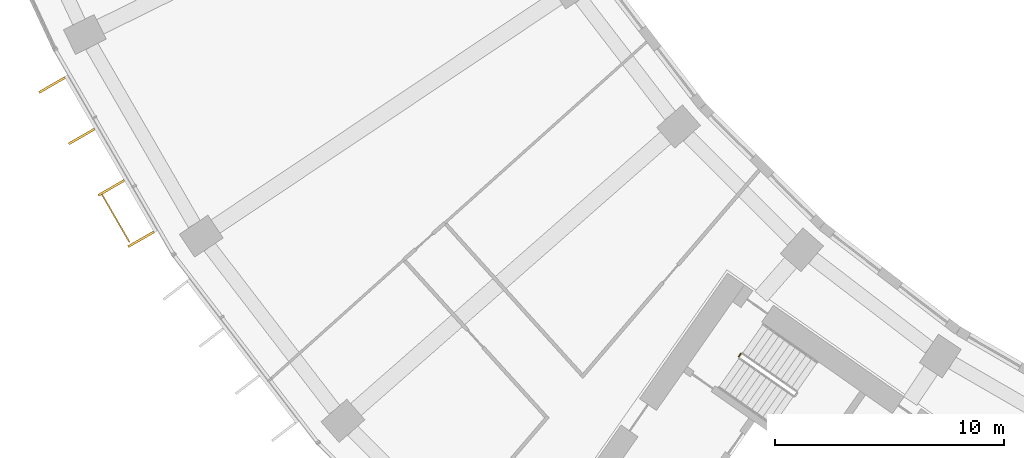
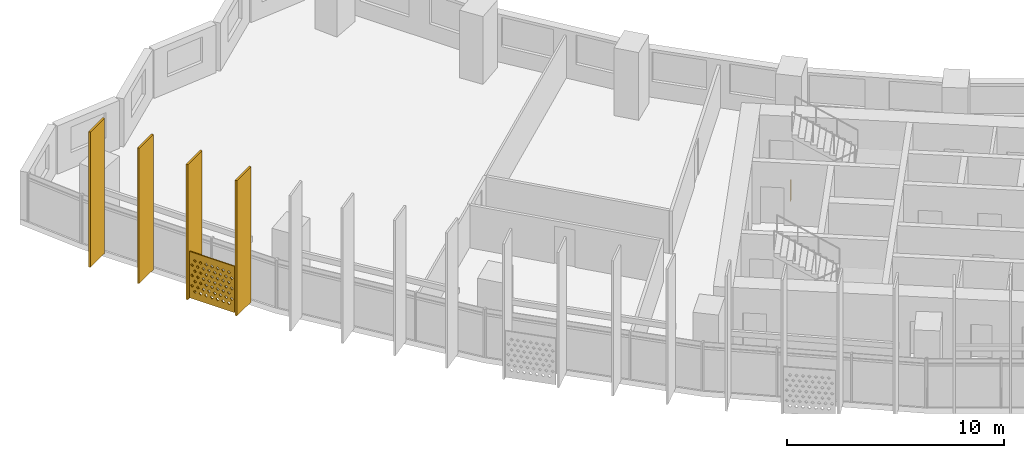
# One storey, part 25 of 29: 5 shading devices, 1 railing.
"""IFC4 building model written with IfcOpenShell, lengths in metres."""

from ifc_helpers import new_model, si_unit, direction, frame, origin, origin_2d, place, context, subcontext, project, spatial, polyline, rectangle, circle, outline, extrude, material, material_profile, profile_set, type_object, element, save


model = new_model("IFC4")

# Units and contexts
model_context = context("Model", 3, precision=1e-05, world=origin(), true_north=direction((0.0, 1.0)))
body_context = subcontext(model_context, "Body", "Model", "MODEL_VIEW")
ifc_project = project(units=[si_unit("LENGTHUNIT", "METRE"), si_unit("AREAUNIT", "SQUARE_METRE"), si_unit("VOLUMEUNIT", "CUBIC_METRE"), si_unit("PLANEANGLEUNIT", "RADIAN"), si_unit("MASSUNIT", "GRAM", prefix="KILO")], contexts=[model_context])

# Site, building, storey
site_placement = place(None, origin())
site = spatial("IfcSite", under=ifc_project, at=site_placement, CompositionType="ELEMENT")
building_placement = place(site_placement, origin())
building = spatial("IfcBuilding", under=site, at=building_placement, Name="Qamariyya Broadcast Tower", CompositionType="ELEMENT")
storey_placement = place(building_placement, frame((0.0, 0.0, 132.89990234375)))
storey = spatial("IfcBuildingStorey", under=building, at=storey_placement, Name="L30", CompositionType="ELEMENT", Elevation=132.89990234375)

# Shading device
ifc_material_1 = material(Name="Perforated glazed terracotta", Category="masonry")
ifc_material_profile_1 = material_profile(ifc_material_1, outline(polyline([(-1.199951171875, -1.300048828125), (1.199951171875, -1.300048828125), (1.199951171875, 1.300048828125), (-1.199951171875, 1.300048828125), (-1.199951171875, -1.300048828125)]), holes=[polyline([(-0.81494140625, -0.86669921875), (-0.89990234375, -0.78173828125), (-0.985107421875, -0.86669921875), (-0.89990234375, -0.95166015625), (-0.81494140625, -0.86669921875)]), polyline([(-0.514892578125, -0.86669921875), (-0.60009765625, -0.78173828125), (-0.68505859375, -0.86669921875), (-0.60009765625, -0.95166015625), (-0.514892578125, -0.86669921875)]), polyline([(-0.215087890625, -0.86669921875), (-0.300048828125, -0.78173828125), (-0.385009765625, -0.86669921875), (-0.300048828125, -0.95166015625), (-0.215087890625, -0.86669921875)]), polyline([(0.0849609375, -0.86669921875), (0.0, -0.78173828125), (-0.0849609375, -0.86669921875), (0.0, -0.95166015625), (0.0849609375, -0.86669921875)]), polyline([(0.385009765625, -0.86669921875), (0.300048828125, -0.78173828125), (0.215087890625, -0.86669921875), (0.300048828125, -0.95166015625), (0.385009765625, -0.86669921875)]), polyline([(0.68505859375, -0.86669921875), (0.60009765625, -0.78173828125), (0.514892578125, -0.86669921875), (0.60009765625, -0.95166015625), (0.68505859375, -0.86669921875)]), polyline([(0.985107421875, -0.86669921875), (0.89990234375, -0.78173828125), (0.81494140625, -0.86669921875), (0.89990234375, -0.95166015625), (0.985107421875, -0.86669921875)]), polyline([(-0.965087890625, -0.577880859375), (-1.050048828125, -0.49267578125), (-1.135009765625, -0.577880859375), (-1.050048828125, -0.662841796875), (-0.965087890625, -0.577880859375)]), polyline([(-0.6650390625, -0.577880859375), (-0.75, -0.49267578125), (-0.8349609375, -0.577880859375), (-0.75, -0.662841796875), (-0.6650390625, -0.577880859375)]), polyline([(-0.364990234375, -0.577880859375), (-0.449951171875, -0.49267578125), (-0.534912109375, -0.577880859375), (-0.449951171875, -0.662841796875), (-0.364990234375, -0.577880859375)]), polyline([(-0.06494140625, -0.577880859375), (-0.14990234375, -0.49267578125), (-0.235107421875, -0.577880859375), (-0.14990234375, -0.662841796875), (-0.06494140625, -0.577880859375)]), polyline([(0.235107421875, -0.577880859375), (0.14990234375, -0.49267578125), (0.06494140625, -0.577880859375), (0.14990234375, -0.662841796875), (0.235107421875, -0.577880859375)]), polyline([(0.534912109375, -0.577880859375), (0.449951171875, -0.49267578125), (0.364990234375, -0.577880859375), (0.449951171875, -0.662841796875), (0.534912109375, -0.577880859375)]), polyline([(0.8349609375, -0.577880859375), (0.75, -0.49267578125), (0.6650390625, -0.577880859375), (0.75, -0.662841796875), (0.8349609375, -0.577880859375)]), polyline([(1.135009765625, -0.577880859375), (1.050048828125, -0.49267578125), (0.965087890625, -0.577880859375), (1.050048828125, -0.662841796875), (1.135009765625, -0.577880859375)]), polyline([(-0.81494140625, -0.288818359375), (-0.89990234375, -0.203857421875), (-0.985107421875, -0.288818359375), (-0.89990234375, -0.373779296875), (-0.81494140625, -0.288818359375)]), polyline([(-0.514892578125, -0.288818359375), (-0.60009765625, -0.203857421875), (-0.68505859375, -0.288818359375), (-0.60009765625, -0.373779296875), (-0.514892578125, -0.288818359375)]), polyline([(-0.215087890625, -0.288818359375), (-0.300048828125, -0.203857421875), (-0.385009765625, -0.288818359375), (-0.300048828125, -0.373779296875), (-0.215087890625, -0.288818359375)]), polyline([(0.0849609375, -0.288818359375), (0.0, -0.203857421875), (-0.0849609375, -0.288818359375), (0.0, -0.373779296875), (0.0849609375, -0.288818359375)]), polyline([(0.385009765625, -0.288818359375), (0.300048828125, -0.203857421875), (0.215087890625, -0.288818359375), (0.300048828125, -0.373779296875), (0.385009765625, -0.288818359375)]), polyline([(0.68505859375, -0.288818359375), (0.60009765625, -0.203857421875), (0.514892578125, -0.288818359375), (0.60009765625, -0.373779296875), (0.68505859375, -0.288818359375)]), polyline([(0.985107421875, -0.288818359375), (0.89990234375, -0.203857421875), (0.81494140625, -0.288818359375), (0.89990234375, -0.373779296875), (0.985107421875, -0.288818359375)]), polyline([(-0.965087890625, 0.0), (-1.050048828125, 0.0849609375), (-1.135009765625, 0.0), (-1.050048828125, -0.0849609375), (-0.965087890625, 0.0)]), polyline([(-0.6650390625, 0.0), (-0.75, 0.0849609375), (-0.8349609375, 0.0), (-0.75, -0.0849609375), (-0.6650390625, 0.0)]), polyline([(-0.364990234375, 0.0), (-0.449951171875, 0.0849609375), (-0.534912109375, 0.0), (-0.449951171875, -0.0849609375), (-0.364990234375, 0.0)]), polyline([(-0.06494140625, 0.0), (-0.14990234375, 0.0849609375), (-0.235107421875, 0.0), (-0.14990234375, -0.0849609375), (-0.06494140625, 0.0)]), polyline([(0.235107421875, 0.0), (0.14990234375, 0.0849609375), (0.06494140625, 0.0), (0.14990234375, -0.0849609375), (0.235107421875, 0.0)]), polyline([(0.534912109375, 0.0), (0.449951171875, 0.0849609375), (0.364990234375, 0.0), (0.449951171875, -0.0849609375), (0.534912109375, 0.0)]), polyline([(0.8349609375, 0.0), (0.75, 0.0849609375), (0.6650390625, 0.0), (0.75, -0.0849609375), (0.8349609375, 0.0)]), polyline([(1.135009765625, 0.0), (1.050048828125, 0.0849609375), (0.965087890625, 0.0), (1.050048828125, -0.0849609375), (1.135009765625, 0.0)]), polyline([(-0.81494140625, 0.288818359375), (-0.89990234375, 0.373779296875), (-0.985107421875, 0.288818359375), (-0.89990234375, 0.203857421875), (-0.81494140625, 0.288818359375)]), polyline([(-0.514892578125, 0.288818359375), (-0.60009765625, 0.373779296875), (-0.68505859375, 0.288818359375), (-0.60009765625, 0.203857421875), (-0.514892578125, 0.288818359375)]), polyline([(-0.215087890625, 0.288818359375), (-0.300048828125, 0.373779296875), (-0.385009765625, 0.288818359375), (-0.300048828125, 0.203857421875), (-0.215087890625, 0.288818359375)]), polyline([(0.0849609375, 0.288818359375), (0.0, 0.373779296875), (-0.0849609375, 0.288818359375), (0.0, 0.203857421875), (0.0849609375, 0.288818359375)]), polyline([(0.385009765625, 0.288818359375), (0.300048828125, 0.373779296875), (0.215087890625, 0.288818359375), (0.300048828125, 0.203857421875), (0.385009765625, 0.288818359375)]), polyline([(0.68505859375, 0.288818359375), (0.60009765625, 0.373779296875), (0.514892578125, 0.288818359375), (0.60009765625, 0.203857421875), (0.68505859375, 0.288818359375)]), polyline([(0.985107421875, 0.288818359375), (0.89990234375, 0.373779296875), (0.81494140625, 0.288818359375), (0.89990234375, 0.203857421875), (0.985107421875, 0.288818359375)]), polyline([(-0.965087890625, 0.577880859375), (-1.050048828125, 0.662841796875), (-1.135009765625, 0.577880859375), (-1.050048828125, 0.49267578125), (-0.965087890625, 0.577880859375)]), polyline([(-0.6650390625, 0.577880859375), (-0.75, 0.662841796875), (-0.8349609375, 0.577880859375), (-0.75, 0.49267578125), (-0.6650390625, 0.577880859375)]), polyline([(-0.364990234375, 0.577880859375), (-0.449951171875, 0.662841796875), (-0.534912109375, 0.577880859375), (-0.449951171875, 0.49267578125), (-0.364990234375, 0.577880859375)]), polyline([(-0.06494140625, 0.577880859375), (-0.14990234375, 0.662841796875), (-0.235107421875, 0.577880859375), (-0.14990234375, 0.49267578125), (-0.06494140625, 0.577880859375)]), polyline([(0.235107421875, 0.577880859375), (0.14990234375, 0.662841796875), (0.06494140625, 0.577880859375), (0.14990234375, 0.49267578125), (0.235107421875, 0.577880859375)]), polyline([(0.534912109375, 0.577880859375), (0.449951171875, 0.662841796875), (0.364990234375, 0.577880859375), (0.449951171875, 0.49267578125), (0.534912109375, 0.577880859375)]), polyline([(0.8349609375, 0.577880859375), (0.75, 0.662841796875), (0.6650390625, 0.577880859375), (0.75, 0.49267578125), (0.8349609375, 0.577880859375)]), polyline([(1.135009765625, 0.577880859375), (1.050048828125, 0.662841796875), (0.965087890625, 0.577880859375), (1.050048828125, 0.49267578125), (1.135009765625, 0.577880859375)]), polyline([(-0.81494140625, 0.86669921875), (-0.89990234375, 0.95166015625), (-0.985107421875, 0.86669921875), (-0.89990234375, 0.78173828125), (-0.81494140625, 0.86669921875)]), polyline([(-0.514892578125, 0.86669921875), (-0.60009765625, 0.95166015625), (-0.68505859375, 0.86669921875), (-0.60009765625, 0.78173828125), (-0.514892578125, 0.86669921875)]), polyline([(-0.215087890625, 0.86669921875), (-0.300048828125, 0.95166015625), (-0.385009765625, 0.86669921875), (-0.300048828125, 0.78173828125), (-0.215087890625, 0.86669921875)]), polyline([(0.0849609375, 0.86669921875), (0.0, 0.95166015625), (-0.0849609375, 0.86669921875), (0.0, 0.78173828125), (0.0849609375, 0.86669921875)]), polyline([(0.385009765625, 0.86669921875), (0.300048828125, 0.95166015625), (0.215087890625, 0.86669921875), (0.300048828125, 0.78173828125), (0.385009765625, 0.86669921875)]), polyline([(0.68505859375, 0.86669921875), (0.60009765625, 0.95166015625), (0.514892578125, 0.86669921875), (0.60009765625, 0.78173828125), (0.68505859375, 0.86669921875)]), polyline([(0.985107421875, 0.86669921875), (0.89990234375, 0.95166015625), (0.81494140625, 0.86669921875), (0.89990234375, 0.78173828125), (0.985107421875, 0.86669921875)])]))
ifc_profile_set_1 = profile_set([ifc_material_profile_1], Name="Perforated glazed terracotta")
shading_device_type_1 = type_object("IfcShadingDeviceType", Name="Perforated terracotta screen 2400 x 2600", PredefinedType="USERDEFINED", material=ifc_profile_set_1)
shading_device_placement = place(storey_placement, frame((-68.355224609375, -42.405517578125, 1.35009765625), z_axis=(-0.865982457891, -0.500074377092, 0.0), x_axis=(0.500074377092, -0.865982457891, 0.0)))
element("IfcShadingDevice", 1, at=shading_device_placement, inside=storey, type_object=shading_device_type_1, Name="e-scr-L30-01-2", ObjectType="SCREEN", PredefinedType="USERDEFINED", context=body_context, shape_type="SweptSolid", body=[
    extrude(outline(polyline([(-1.199951171875, -1.300048828125), (1.199951171875, -1.300048828125), (1.199951171875, 1.300048828125), (-1.199951171875, 1.300048828125), (-1.199951171875, -1.300048828125)]), holes=[polyline([(-0.81494140625, -0.86669921875), (-0.89990234375, -0.78173828125), (-0.985107421875, -0.86669921875), (-0.89990234375, -0.95166015625), (-0.81494140625, -0.86669921875)]), polyline([(-0.514892578125, -0.86669921875), (-0.60009765625, -0.78173828125), (-0.68505859375, -0.86669921875), (-0.60009765625, -0.95166015625), (-0.514892578125, -0.86669921875)]), polyline([(-0.215087890625, -0.86669921875), (-0.300048828125, -0.78173828125), (-0.385009765625, -0.86669921875), (-0.300048828125, -0.95166015625), (-0.215087890625, -0.86669921875)]), polyline([(0.0849609375, -0.86669921875), (0.0, -0.78173828125), (-0.0849609375, -0.86669921875), (0.0, -0.95166015625), (0.0849609375, -0.86669921875)]), polyline([(0.385009765625, -0.86669921875), (0.300048828125, -0.78173828125), (0.215087890625, -0.86669921875), (0.300048828125, -0.95166015625), (0.385009765625, -0.86669921875)]), polyline([(0.68505859375, -0.86669921875), (0.60009765625, -0.78173828125), (0.514892578125, -0.86669921875), (0.60009765625, -0.95166015625), (0.68505859375, -0.86669921875)]), polyline([(0.985107421875, -0.86669921875), (0.89990234375, -0.78173828125), (0.81494140625, -0.86669921875), (0.89990234375, -0.95166015625), (0.985107421875, -0.86669921875)]), polyline([(-0.965087890625, -0.577880859375), (-1.050048828125, -0.49267578125), (-1.135009765625, -0.577880859375), (-1.050048828125, -0.662841796875), (-0.965087890625, -0.577880859375)]), polyline([(-0.6650390625, -0.577880859375), (-0.75, -0.49267578125), (-0.8349609375, -0.577880859375), (-0.75, -0.662841796875), (-0.6650390625, -0.577880859375)]), polyline([(-0.364990234375, -0.577880859375), (-0.449951171875, -0.49267578125), (-0.534912109375, -0.577880859375), (-0.449951171875, -0.662841796875), (-0.364990234375, -0.577880859375)]), polyline([(-0.06494140625, -0.577880859375), (-0.14990234375, -0.49267578125), (-0.235107421875, -0.577880859375), (-0.14990234375, -0.662841796875), (-0.06494140625, -0.577880859375)]), polyline([(0.235107421875, -0.577880859375), (0.14990234375, -0.49267578125), (0.06494140625, -0.577880859375), (0.14990234375, -0.662841796875), (0.235107421875, -0.577880859375)]), polyline([(0.534912109375, -0.577880859375), (0.449951171875, -0.49267578125), (0.364990234375, -0.577880859375), (0.449951171875, -0.662841796875), (0.534912109375, -0.577880859375)]), polyline([(0.8349609375, -0.577880859375), (0.75, -0.49267578125), (0.6650390625, -0.577880859375), (0.75, -0.662841796875), (0.8349609375, -0.577880859375)]), polyline([(1.135009765625, -0.577880859375), (1.050048828125, -0.49267578125), (0.965087890625, -0.577880859375), (1.050048828125, -0.662841796875), (1.135009765625, -0.577880859375)]), polyline([(-0.81494140625, -0.288818359375), (-0.89990234375, -0.203857421875), (-0.985107421875, -0.288818359375), (-0.89990234375, -0.373779296875), (-0.81494140625, -0.288818359375)]), polyline([(-0.514892578125, -0.288818359375), (-0.60009765625, -0.203857421875), (-0.68505859375, -0.288818359375), (-0.60009765625, -0.373779296875), (-0.514892578125, -0.288818359375)]), polyline([(-0.215087890625, -0.288818359375), (-0.300048828125, -0.203857421875), (-0.385009765625, -0.288818359375), (-0.300048828125, -0.373779296875), (-0.215087890625, -0.288818359375)]), polyline([(0.0849609375, -0.288818359375), (0.0, -0.203857421875), (-0.0849609375, -0.288818359375), (0.0, -0.373779296875), (0.0849609375, -0.288818359375)]), polyline([(0.385009765625, -0.288818359375), (0.300048828125, -0.203857421875), (0.215087890625, -0.288818359375), (0.300048828125, -0.373779296875), (0.385009765625, -0.288818359375)]), polyline([(0.68505859375, -0.288818359375), (0.60009765625, -0.203857421875), (0.514892578125, -0.288818359375), (0.60009765625, -0.373779296875), (0.68505859375, -0.288818359375)]), polyline([(0.985107421875, -0.288818359375), (0.89990234375, -0.203857421875), (0.81494140625, -0.288818359375), (0.89990234375, -0.373779296875), (0.985107421875, -0.288818359375)]), polyline([(-0.965087890625, 0.0), (-1.050048828125, 0.0849609375), (-1.135009765625, 0.0), (-1.050048828125, -0.0849609375), (-0.965087890625, 0.0)]), polyline([(-0.6650390625, 0.0), (-0.75, 0.0849609375), (-0.8349609375, 0.0), (-0.75, -0.0849609375), (-0.6650390625, 0.0)]), polyline([(-0.364990234375, 0.0), (-0.449951171875, 0.0849609375), (-0.534912109375, 0.0), (-0.449951171875, -0.0849609375), (-0.364990234375, 0.0)]), polyline([(-0.06494140625, 0.0), (-0.14990234375, 0.0849609375), (-0.235107421875, 0.0), (-0.14990234375, -0.0849609375), (-0.06494140625, 0.0)]), polyline([(0.235107421875, 0.0), (0.14990234375, 0.0849609375), (0.06494140625, 0.0), (0.14990234375, -0.0849609375), (0.235107421875, 0.0)]), polyline([(0.534912109375, 0.0), (0.449951171875, 0.0849609375), (0.364990234375, 0.0), (0.449951171875, -0.0849609375), (0.534912109375, 0.0)]), polyline([(0.8349609375, 0.0), (0.75, 0.0849609375), (0.6650390625, 0.0), (0.75, -0.0849609375), (0.8349609375, 0.0)]), polyline([(1.135009765625, 0.0), (1.050048828125, 0.0849609375), (0.965087890625, 0.0), (1.050048828125, -0.0849609375), (1.135009765625, 0.0)]), polyline([(-0.81494140625, 0.288818359375), (-0.89990234375, 0.373779296875), (-0.985107421875, 0.288818359375), (-0.89990234375, 0.203857421875), (-0.81494140625, 0.288818359375)]), polyline([(-0.514892578125, 0.288818359375), (-0.60009765625, 0.373779296875), (-0.68505859375, 0.288818359375), (-0.60009765625, 0.203857421875), (-0.514892578125, 0.288818359375)]), polyline([(-0.215087890625, 0.288818359375), (-0.300048828125, 0.373779296875), (-0.385009765625, 0.288818359375), (-0.300048828125, 0.203857421875), (-0.215087890625, 0.288818359375)]), polyline([(0.0849609375, 0.288818359375), (0.0, 0.373779296875), (-0.0849609375, 0.288818359375), (0.0, 0.203857421875), (0.0849609375, 0.288818359375)]), polyline([(0.385009765625, 0.288818359375), (0.300048828125, 0.373779296875), (0.215087890625, 0.288818359375), (0.300048828125, 0.203857421875), (0.385009765625, 0.288818359375)]), polyline([(0.68505859375, 0.288818359375), (0.60009765625, 0.373779296875), (0.514892578125, 0.288818359375), (0.60009765625, 0.203857421875), (0.68505859375, 0.288818359375)]), polyline([(0.985107421875, 0.288818359375), (0.89990234375, 0.373779296875), (0.81494140625, 0.288818359375), (0.89990234375, 0.203857421875), (0.985107421875, 0.288818359375)]), polyline([(-0.965087890625, 0.577880859375), (-1.050048828125, 0.662841796875), (-1.135009765625, 0.577880859375), (-1.050048828125, 0.49267578125), (-0.965087890625, 0.577880859375)]), polyline([(-0.6650390625, 0.577880859375), (-0.75, 0.662841796875), (-0.8349609375, 0.577880859375), (-0.75, 0.49267578125), (-0.6650390625, 0.577880859375)]), polyline([(-0.364990234375, 0.577880859375), (-0.449951171875, 0.662841796875), (-0.534912109375, 0.577880859375), (-0.449951171875, 0.49267578125), (-0.364990234375, 0.577880859375)]), polyline([(-0.06494140625, 0.577880859375), (-0.14990234375, 0.662841796875), (-0.235107421875, 0.577880859375), (-0.14990234375, 0.49267578125), (-0.06494140625, 0.577880859375)]), polyline([(0.235107421875, 0.577880859375), (0.14990234375, 0.662841796875), (0.06494140625, 0.577880859375), (0.14990234375, 0.49267578125), (0.235107421875, 0.577880859375)]), polyline([(0.534912109375, 0.577880859375), (0.449951171875, 0.662841796875), (0.364990234375, 0.577880859375), (0.449951171875, 0.49267578125), (0.534912109375, 0.577880859375)]), polyline([(0.8349609375, 0.577880859375), (0.75, 0.662841796875), (0.6650390625, 0.577880859375), (0.75, 0.49267578125), (0.8349609375, 0.577880859375)]), polyline([(1.135009765625, 0.577880859375), (1.050048828125, 0.662841796875), (0.965087890625, 0.577880859375), (1.050048828125, 0.49267578125), (1.135009765625, 0.577880859375)]), polyline([(-0.81494140625, 0.86669921875), (-0.89990234375, 0.95166015625), (-0.985107421875, 0.86669921875), (-0.89990234375, 0.78173828125), (-0.81494140625, 0.86669921875)]), polyline([(-0.514892578125, 0.86669921875), (-0.60009765625, 0.95166015625), (-0.68505859375, 0.86669921875), (-0.60009765625, 0.78173828125), (-0.514892578125, 0.86669921875)]), polyline([(-0.215087890625, 0.86669921875), (-0.300048828125, 0.95166015625), (-0.385009765625, 0.86669921875), (-0.300048828125, 0.78173828125), (-0.215087890625, 0.86669921875)]), polyline([(0.0849609375, 0.86669921875), (0.0, 0.95166015625), (-0.0849609375, 0.86669921875), (0.0, 0.78173828125), (0.0849609375, 0.86669921875)]), polyline([(0.385009765625, 0.86669921875), (0.300048828125, 0.95166015625), (0.215087890625, 0.86669921875), (0.300048828125, 0.78173828125), (0.385009765625, 0.86669921875)]), polyline([(0.68505859375, 0.86669921875), (0.60009765625, 0.95166015625), (0.514892578125, 0.86669921875), (0.60009765625, 0.78173828125), (0.68505859375, 0.86669921875)]), polyline([(0.985107421875, 0.86669921875), (0.89990234375, 0.95166015625), (0.81494140625, 0.86669921875), (0.89990234375, 0.78173828125), (0.985107421875, 0.86669921875)])]), origin(), (0.0, 0.0, 1.0), 0.06005859375),
])

# Railing
ifc_material_2 = material(Name="Painted steel", Category="steel")
railing_type = type_object("IfcRailingType", Name="Stair guard", PredefinedType="GUARDRAIL", material=ifc_material_2)
railing_placement = place(storey_placement, frame((-41.158935546875, -48.455322265625, 0.0)))
element("IfcRailing", 2, at=railing_placement, inside=storey, type_object=railing_type, Name="L30 ST-W2 stair guard 3", PredefinedType="GUARDRAIL", context=body_context, shape_type="SweptSolid", body=[
    extrude(circle(Radius=0.02392578125, at=origin_2d()), frame((0.0, 0.0, 1.076171875), z_axis=(0.572588637393, 0.819842821722, 0.0), x_axis=(-0.819842821722, 0.572588637393, 0.0)), (0.0, 0.0, 1.0), 0.150146484375),
    extrude(circle(Radius=0.02099609375, at=origin_2d()), origin(), (0.0, 0.0, 1.0), 1.052001953125),
    extrude(circle(Radius=0.02099609375, at=origin_2d()), frame((0.0859375, 0.123046875, 0.0)), (0.0, 0.0, 1.0), 1.052001953125),
])

# Shading devices
ifc_material_3 = material(Name="Glazed terracotta", Category="masonry")
ifc_material_profile_2 = material_profile(ifc_material_3, rectangle(XDim=1.300048828125, YDim=0.10009765625, at=origin_2d()))
ifc_profile_set_2 = profile_set([ifc_material_profile_2], Name="Glazed terracotta")
shading_device_type_2 = type_object("IfcShadingDeviceType", Name="Terracotta fin 100 x 1300", PredefinedType="USERDEFINED", material=ifc_profile_set_2)
for number, where, z_axis, x_axis, name in (
    (3, (-71.16650390625, -36.596435546875, 0.0), (0.0, 0.0, 1.0), (-0.866025403784, -0.5, 0.0), "e-fin-L30-01-0"),
    (4, (-69.869873046875, -38.84228515625, 0.0), (0.0, 0.0, 1.0), (-0.866025403784, -0.5, 0.0), "e-fin-L30-01-1"),
    (5, (-68.5732421875, -41.087890625, 0.0), (0.0, 0.0, 1.0), (-0.866025403784, -0.5, 0.0), "e-fin-L30-01-2"),
    (6, (-67.276611328125, -43.333740234375, 0.0), (0.0, 0.0, 1.0), (-0.866025403784, -0.5, 0.0), "e-fin-L30-01-3"),
):
    element("IfcShadingDevice", number, at=place(storey_placement, frame(where, z_axis=z_axis, x_axis=x_axis)), inside=storey, type_object=shading_device_type_2, Name=name, ObjectType="FIN", PredefinedType="USERDEFINED", context=body_context, shape_type="SweptSolid", body=[
        extrude(rectangle(XDim=1.300048828125, YDim=0.10009765625, at=origin_2d()), origin(), (0.0, 0.0, 1.0), 7.60009765625),
    ])

save(model, "model.ifc")
